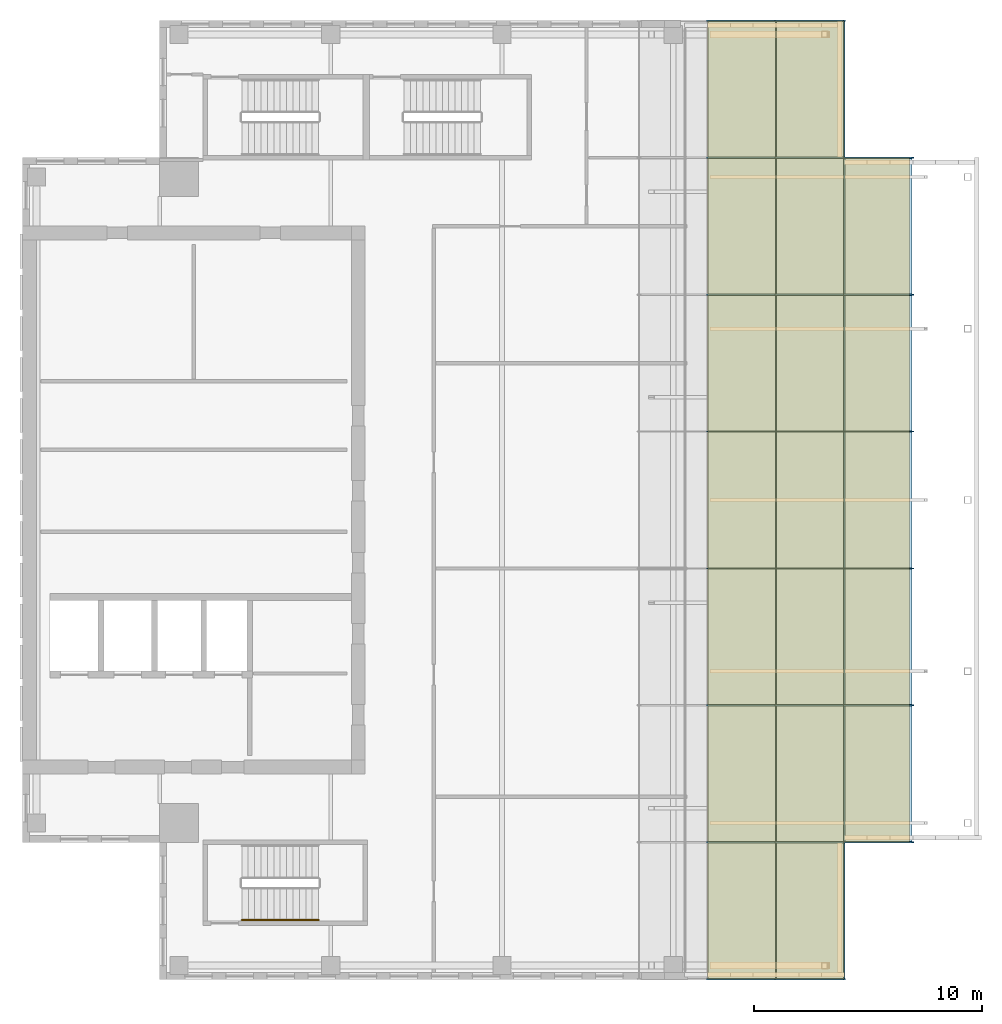
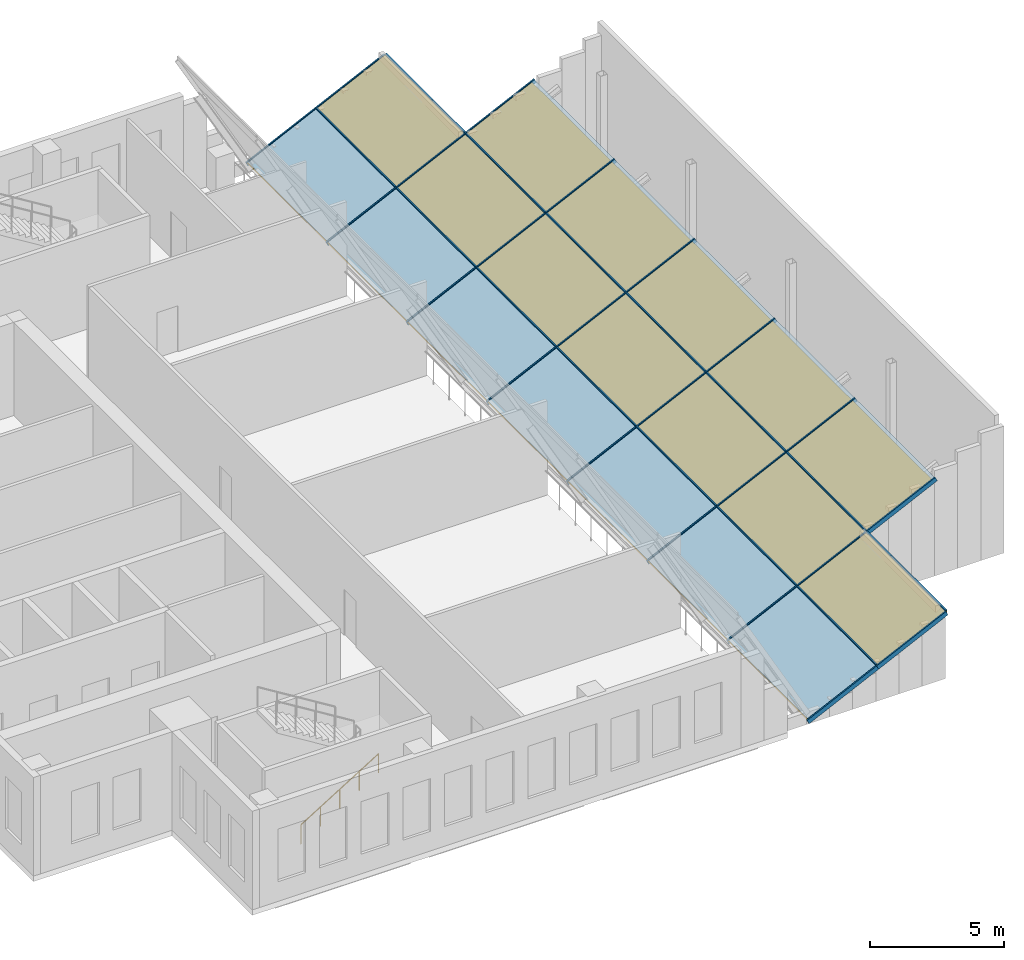
# One storey, part 9 of 11: 36 members, 19 plates, 1 curtain wall, 1 railing.
"""IFC4 building model written with IfcOpenShell, lengths in metres."""

from ifc_helpers import new_model, si_unit, direction, frame, origin, origin_2d, place, context, subcontext, project, spatial, polyline, hollow_rectangle, circle, outline, extrude, source, transform, mapped, material, layer, layer_set, material_profile, profile_set, type_object, element, aggregate, save


model = new_model("IFC4")

# Units and contexts
model_context = context("Model", 3, precision=1e-05, world=origin(), true_north=direction((0.0, 1.0)))
body_context = subcontext(model_context, "Body", "Model", "MODEL_VIEW")
ifc_project = project(units=[si_unit("LENGTHUNIT", "METRE"), si_unit("AREAUNIT", "SQUARE_METRE"), si_unit("VOLUMEUNIT", "CUBIC_METRE"), si_unit("PLANEANGLEUNIT", "RADIAN"), si_unit("MASSUNIT", "GRAM", prefix="KILO")], contexts=[model_context])

# Member
ifc_material_1 = material(Name="Aluminium", Category="aluminium")
ifc_material_profile_1 = material_profile(ifc_material_1, hollow_rectangle(XDim=0.06005859375, YDim=0.1201171875, WallThickness=0.0048828125, at=origin_2d()), Name="Crown roof glazing purlin CR-CW-T")
ifc_profile_set_1 = profile_set([ifc_material_profile_1], Name="Aluminium")
member_type_1 = type_object("IfcMemberType", Name="Crown roof glazing purlin CR-CW-T", PredefinedType="USERDEFINED", material=ifc_profile_set_1)
shared_shape_1 = source(origin(), body_context, "Body", "SweptSolid", [
    extrude(hollow_rectangle(XDim=0.06005859375, YDim=0.1201171875, WallThickness=0.0048828125, at=origin_2d()), origin(), (0.0, 0.0, 1.0), 5.93994140625),
])
site_placement = place(None, origin())
building_placement = place(site_placement, origin())
storey_placement = place(building_placement, frame((0.0, 0.0, 334.699951171875)))
member_1_placement = place(storey_placement, frame((39.0, 6.030029296875, 1.681884765625), z_axis=(0.0, 1.0, 0.0), x_axis=(-1.0, 0.0, 0.0)))
member_1 = element("IfcMember", 1, at=member_1_placement, type_object=member_type_1, Name="Crown glazing purlin", ObjectType="TRANSOM", PredefinedType="USERDEFINED", context=body_context, shape_type="MappedRepresentation", body=[
    mapped(shared_shape_1, transform((0.0, 0.0, 0.0))),
])

member_2_placement = place(storey_placement, frame((39.0, 12.030029296875, 1.681884765625), z_axis=(0.0, 1.0, 0.0), x_axis=(-1.0, 0.0, 0.0)))
member_2 = element("IfcMember", 2, at=member_2_placement, type_object=member_type_1, Name="Crown glazing purlin", ObjectType="TRANSOM", PredefinedType="USERDEFINED", context=body_context, shape_type="MappedRepresentation", body=[
    mapped(shared_shape_1, transform((0.0, 0.0, 0.0))),
])

member_3_placement = place(storey_placement, frame((39.0, 18.030029296875, 1.681884765625), z_axis=(0.0, 1.0, 0.0), x_axis=(-1.0, 0.0, 0.0)))
member_3 = element("IfcMember", 3, at=member_3_placement, type_object=member_type_1, Name="Crown glazing purlin", ObjectType="TRANSOM", PredefinedType="USERDEFINED", context=body_context, shape_type="MappedRepresentation", body=[
    mapped(shared_shape_1, transform((0.0, 0.0, 0.0))),
])

member_4_placement = place(storey_placement, frame((39.0, 24.030029296875, 1.681884765625), z_axis=(0.0, 1.0, 0.0), x_axis=(-1.0, 0.0, 0.0)))
member_4 = element("IfcMember", 4, at=member_4_placement, type_object=member_type_1, Name="Crown glazing purlin", ObjectType="TRANSOM", PredefinedType="USERDEFINED", context=body_context, shape_type="MappedRepresentation", body=[
    mapped(shared_shape_1, transform((0.0, 0.0, 0.0))),
])

member_5_placement = place(storey_placement, frame((39.0, 30.030029296875, 1.681884765625), z_axis=(0.0, 1.0, 0.0), x_axis=(-1.0, 0.0, 0.0)))
member_5 = element("IfcMember", 5, at=member_5_placement, type_object=member_type_1, Name="Crown glazing purlin", ObjectType="TRANSOM", PredefinedType="USERDEFINED", context=body_context, shape_type="MappedRepresentation", body=[
    mapped(shared_shape_1, transform((0.0, 0.0, 0.0))),
])

member_6_placement = place(storey_placement, frame((39.0, 36.030029296875, 1.681884765625), z_axis=(0.0, 1.0, 0.0), x_axis=(-1.0, 0.0, 0.0)))
member_6 = element("IfcMember", 6, at=member_6_placement, type_object=member_type_1, Name="Crown glazing purlin", ObjectType="TRANSOM", PredefinedType="USERDEFINED", context=body_context, shape_type="MappedRepresentation", body=[
    mapped(shared_shape_1, transform((0.0, 0.0, 0.0))),
])

member_7_placement = place(storey_placement, frame((39.0, 42.030029296875, 1.681884765625), z_axis=(0.0, 1.0, 0.0), x_axis=(-1.0, 0.0, 0.0)))
member_7 = element("IfcMember", 7, at=member_7_placement, type_object=member_type_1, Name="Crown glazing purlin", ObjectType="TRANSOM", PredefinedType="USERDEFINED", context=body_context, shape_type="MappedRepresentation", body=[
    mapped(shared_shape_1, transform((0.0, 0.0, 0.0))),
])

member_8_placement = place(storey_placement, frame((42.0, 6.030029296875, 3.119384765625), z_axis=(0.0, 1.0, 0.0), x_axis=(-1.0, 0.0, 0.0)))
member_8 = element("IfcMember", 8, at=member_8_placement, type_object=member_type_1, Name="Crown glazing purlin", ObjectType="TRANSOM", PredefinedType="USERDEFINED", context=body_context, shape_type="MappedRepresentation", body=[
    mapped(shared_shape_1, transform((0.0, 0.0, 0.0))),
])

member_9_placement = place(storey_placement, frame((42.0, 12.030029296875, 3.119384765625), z_axis=(0.0, 1.0, 0.0), x_axis=(-1.0, 0.0, 0.0)))
member_9 = element("IfcMember", 9, at=member_9_placement, type_object=member_type_1, Name="Crown glazing purlin", ObjectType="TRANSOM", PredefinedType="USERDEFINED", context=body_context, shape_type="MappedRepresentation", body=[
    mapped(shared_shape_1, transform((0.0, 0.0, 0.0))),
])

member_10_placement = place(storey_placement, frame((42.0, 18.030029296875, 3.119384765625), z_axis=(0.0, 1.0, 0.0), x_axis=(-1.0, 0.0, 0.0)))
member_10 = element("IfcMember", 10, at=member_10_placement, type_object=member_type_1, Name="Crown glazing purlin", ObjectType="TRANSOM", PredefinedType="USERDEFINED", context=body_context, shape_type="MappedRepresentation", body=[
    mapped(shared_shape_1, transform((0.0, 0.0, 0.0))),
])

member_11_placement = place(storey_placement, frame((42.0, 24.030029296875, 3.119384765625), z_axis=(0.0, 1.0, 0.0), x_axis=(-1.0, 0.0, 0.0)))
member_11 = element("IfcMember", 11, at=member_11_placement, type_object=member_type_1, Name="Crown glazing purlin", ObjectType="TRANSOM", PredefinedType="USERDEFINED", context=body_context, shape_type="MappedRepresentation", body=[
    mapped(shared_shape_1, transform((0.0, 0.0, 0.0))),
])

member_12_placement = place(storey_placement, frame((42.0, 30.030029296875, 3.119384765625), z_axis=(0.0, 1.0, 0.0), x_axis=(-1.0, 0.0, 0.0)))
member_12 = element("IfcMember", 12, at=member_12_placement, type_object=member_type_1, Name="Crown glazing purlin", ObjectType="TRANSOM", PredefinedType="USERDEFINED", context=body_context, shape_type="MappedRepresentation", body=[
    mapped(shared_shape_1, transform((0.0, 0.0, 0.0))),
])

member_13_placement = place(storey_placement, frame((42.0, 36.030029296875, 3.119384765625), z_axis=(0.0, 1.0, 0.0), x_axis=(-1.0, 0.0, 0.0)))
member_13 = element("IfcMember", 13, at=member_13_placement, type_object=member_type_1, Name="Crown glazing purlin", ObjectType="TRANSOM", PredefinedType="USERDEFINED", context=body_context, shape_type="MappedRepresentation", body=[
    mapped(shared_shape_1, transform((0.0, 0.0, 0.0))),
])

member_14_placement = place(storey_placement, frame((42.0, 42.030029296875, 3.119384765625), z_axis=(0.0, 1.0, 0.0), x_axis=(-1.0, 0.0, 0.0)))
member_14 = element("IfcMember", 14, at=member_14_placement, type_object=member_type_1, Name="Crown glazing purlin", ObjectType="TRANSOM", PredefinedType="USERDEFINED", context=body_context, shape_type="MappedRepresentation", body=[
    mapped(shared_shape_1, transform((0.0, 0.0, 0.0))),
])

ifc_material_2 = material(Name="Aluminium", Category="aluminium")
ifc_material_profile_2 = material_profile(ifc_material_2, hollow_rectangle(XDim=0.06005859375, YDim=0.199951171875, WallThickness=0.0048828125, at=origin_2d()), Name="Crown roof glazing rafter CR-CW-M")
ifc_profile_set_2 = profile_set([ifc_material_profile_2], Name="Aluminium")
member_type_2 = type_object("IfcMemberType", Name="Crown roof glazing rafter CR-CW-M", PredefinedType="MULLION", material=ifc_profile_set_2)
shared_shape_2 = source(origin(), body_context, "Body", "SweptSolid", [
    extrude(hollow_rectangle(XDim=0.06005859375, YDim=0.199951171875, WallThickness=0.0048828125, at=origin_2d()), origin(), (0.0, 0.0, 1.0), 3.32666015625),
])
member_15_placement = place(storey_placement, frame((36.0, 6.0, 0.193603515625), z_axis=(0.901816028725, 0.0, 0.432120180431), x_axis=(0.0, 1.0, 0.0)))
member_15 = element("IfcMember", 15, at=member_15_placement, type_object=member_type_2, Name="Crown glazing rafter", PredefinedType="MULLION", context=body_context, shape_type="MappedRepresentation", body=[
    mapped(shared_shape_2, transform((0.0, 0.0, 0.0))),
])

member_16_placement = place(storey_placement, frame((36.0, 12.0, 0.193603515625), z_axis=(0.901816028725, 0.0, 0.432120180431), x_axis=(0.0, 1.0, 0.0)))
member_16 = element("IfcMember", 16, at=member_16_placement, type_object=member_type_2, Name="Crown glazing rafter", PredefinedType="MULLION", context=body_context, shape_type="MappedRepresentation", body=[
    mapped(shared_shape_2, transform((0.0, 0.0, 0.0))),
])

member_17_placement = place(storey_placement, frame((36.0, 18.0, 0.193603515625), z_axis=(0.901816028725, 0.0, 0.432120180431), x_axis=(0.0, 1.0, 0.0)))
member_17 = element("IfcMember", 17, at=member_17_placement, type_object=member_type_2, Name="Crown glazing rafter", PredefinedType="MULLION", context=body_context, shape_type="MappedRepresentation", body=[
    mapped(shared_shape_2, transform((0.0, 0.0, 0.0))),
])

member_18_placement = place(storey_placement, frame((36.0, 24.0, 0.193603515625), z_axis=(0.901816028725, 0.0, 0.432120180431), x_axis=(0.0, 1.0, 0.0)))
member_18 = element("IfcMember", 18, at=member_18_placement, type_object=member_type_2, Name="Crown glazing rafter", PredefinedType="MULLION", context=body_context, shape_type="MappedRepresentation", body=[
    mapped(shared_shape_2, transform((0.0, 0.0, 0.0))),
])

member_19_placement = place(storey_placement, frame((36.0, 30.0, 0.193603515625), z_axis=(0.901816028725, 0.0, 0.432120180431), x_axis=(0.0, 1.0, 0.0)))
member_19 = element("IfcMember", 19, at=member_19_placement, type_object=member_type_2, Name="Crown glazing rafter", PredefinedType="MULLION", context=body_context, shape_type="MappedRepresentation", body=[
    mapped(shared_shape_2, transform((0.0, 0.0, 0.0))),
])

member_20_placement = place(storey_placement, frame((36.0, 36.0, 0.193603515625), z_axis=(0.901816028725, 0.0, 0.432120180431), x_axis=(0.0, 1.0, 0.0)))
member_20 = element("IfcMember", 20, at=member_20_placement, type_object=member_type_2, Name="Crown glazing rafter", PredefinedType="MULLION", context=body_context, shape_type="MappedRepresentation", body=[
    mapped(shared_shape_2, transform((0.0, 0.0, 0.0))),
])

member_21_placement = place(storey_placement, frame((36.0, 42.0, 0.193603515625), z_axis=(0.901816028725, 0.0, 0.432120180431), x_axis=(0.0, 1.0, 0.0)))
member_21 = element("IfcMember", 21, at=member_21_placement, type_object=member_type_2, Name="Crown glazing rafter", PredefinedType="MULLION", context=body_context, shape_type="MappedRepresentation", body=[
    mapped(shared_shape_2, transform((0.0, 0.0, 0.0))),
])

member_22_placement = place(storey_placement, frame((36.0, 48.0, 0.193603515625), z_axis=(0.901816028725, 0.0, 0.432120180431), x_axis=(0.0, 1.0, 0.0)))
member_22 = element("IfcMember", 22, at=member_22_placement, type_object=member_type_2, Name="Crown glazing rafter", PredefinedType="MULLION", context=body_context, shape_type="MappedRepresentation", body=[
    mapped(shared_shape_2, transform((0.0, 0.0, 0.0))),
])

member_23_placement = place(storey_placement, frame((39.0, 6.0, 1.631103515625), z_axis=(0.901816028725, 0.0, 0.432120180431), x_axis=(0.0, 1.0, 0.0)))
member_23 = element("IfcMember", 23, at=member_23_placement, type_object=member_type_2, Name="Crown glazing rafter", PredefinedType="MULLION", context=body_context, shape_type="MappedRepresentation", body=[
    mapped(shared_shape_2, transform((0.0, 0.0, 0.0))),
])

member_24_placement = place(storey_placement, frame((39.0, 12.0, 1.631103515625), z_axis=(0.901816028725, 0.0, 0.432120180431), x_axis=(0.0, 1.0, 0.0)))
member_24 = element("IfcMember", 24, at=member_24_placement, type_object=member_type_2, Name="Crown glazing rafter", PredefinedType="MULLION", context=body_context, shape_type="MappedRepresentation", body=[
    mapped(shared_shape_2, transform((0.0, 0.0, 0.0))),
])

member_25_placement = place(storey_placement, frame((39.0, 18.0, 1.631103515625), z_axis=(0.901816028725, 0.0, 0.432120180431), x_axis=(0.0, 1.0, 0.0)))
member_25 = element("IfcMember", 25, at=member_25_placement, type_object=member_type_2, Name="Crown glazing rafter", PredefinedType="MULLION", context=body_context, shape_type="MappedRepresentation", body=[
    mapped(shared_shape_2, transform((0.0, 0.0, 0.0))),
])

member_26_placement = place(storey_placement, frame((39.0, 24.0, 1.631103515625), z_axis=(0.901816028725, 0.0, 0.432120180431), x_axis=(0.0, 1.0, 0.0)))
member_26 = element("IfcMember", 26, at=member_26_placement, type_object=member_type_2, Name="Crown glazing rafter", PredefinedType="MULLION", context=body_context, shape_type="MappedRepresentation", body=[
    mapped(shared_shape_2, transform((0.0, 0.0, 0.0))),
])

member_27_placement = place(storey_placement, frame((39.0, 30.0, 1.631103515625), z_axis=(0.901816028725, 0.0, 0.432120180431), x_axis=(0.0, 1.0, 0.0)))
member_27 = element("IfcMember", 27, at=member_27_placement, type_object=member_type_2, Name="Crown glazing rafter", PredefinedType="MULLION", context=body_context, shape_type="MappedRepresentation", body=[
    mapped(shared_shape_2, transform((0.0, 0.0, 0.0))),
])

member_28_placement = place(storey_placement, frame((39.0, 36.0, 1.631103515625), z_axis=(0.901816028725, 0.0, 0.432120180431), x_axis=(0.0, 1.0, 0.0)))
member_28 = element("IfcMember", 28, at=member_28_placement, type_object=member_type_2, Name="Crown glazing rafter", PredefinedType="MULLION", context=body_context, shape_type="MappedRepresentation", body=[
    mapped(shared_shape_2, transform((0.0, 0.0, 0.0))),
])

member_29_placement = place(storey_placement, frame((39.0, 42.0, 1.631103515625), z_axis=(0.901816028725, 0.0, 0.432120180431), x_axis=(0.0, 1.0, 0.0)))
member_29 = element("IfcMember", 29, at=member_29_placement, type_object=member_type_2, Name="Crown glazing rafter", PredefinedType="MULLION", context=body_context, shape_type="MappedRepresentation", body=[
    mapped(shared_shape_2, transform((0.0, 0.0, 0.0))),
])

member_30_placement = place(storey_placement, frame((39.0, 48.0, 1.631103515625), z_axis=(0.901816028725, 0.0, 0.432120180431), x_axis=(0.0, 1.0, 0.0)))
member_30 = element("IfcMember", 30, at=member_30_placement, type_object=member_type_2, Name="Crown glazing rafter", PredefinedType="MULLION", context=body_context, shape_type="MappedRepresentation", body=[
    mapped(shared_shape_2, transform((0.0, 0.0, 0.0))),
])

member_31_placement = place(storey_placement, frame((42.0, 12.0, 3.068603515625), z_axis=(0.901816028725, 0.0, 0.432120180431), x_axis=(0.0, 1.0, 0.0)))
member_31 = element("IfcMember", 31, at=member_31_placement, type_object=member_type_2, Name="Crown glazing rafter", PredefinedType="MULLION", context=body_context, shape_type="MappedRepresentation", body=[
    mapped(shared_shape_2, transform((0.0, 0.0, 0.0))),
])

member_32_placement = place(storey_placement, frame((42.0, 18.0, 3.068603515625), z_axis=(0.901816028725, 0.0, 0.432120180431), x_axis=(0.0, 1.0, 0.0)))
member_32 = element("IfcMember", 32, at=member_32_placement, type_object=member_type_2, Name="Crown glazing rafter", PredefinedType="MULLION", context=body_context, shape_type="MappedRepresentation", body=[
    mapped(shared_shape_2, transform((0.0, 0.0, 0.0))),
])

member_33_placement = place(storey_placement, frame((42.0, 24.0, 3.068603515625), z_axis=(0.901816028725, 0.0, 0.432120180431), x_axis=(0.0, 1.0, 0.0)))
member_33 = element("IfcMember", 33, at=member_33_placement, type_object=member_type_2, Name="Crown glazing rafter", PredefinedType="MULLION", context=body_context, shape_type="MappedRepresentation", body=[
    mapped(shared_shape_2, transform((0.0, 0.0, 0.0))),
])

member_34_placement = place(storey_placement, frame((42.0, 30.0, 3.068603515625), z_axis=(0.901816028725, 0.0, 0.432120180431), x_axis=(0.0, 1.0, 0.0)))
member_34 = element("IfcMember", 34, at=member_34_placement, type_object=member_type_2, Name="Crown glazing rafter", PredefinedType="MULLION", context=body_context, shape_type="MappedRepresentation", body=[
    mapped(shared_shape_2, transform((0.0, 0.0, 0.0))),
])

member_35_placement = place(storey_placement, frame((42.0, 36.0, 3.068603515625), z_axis=(0.901816028725, 0.0, 0.432120180431), x_axis=(0.0, 1.0, 0.0)))
member_35 = element("IfcMember", 35, at=member_35_placement, type_object=member_type_2, Name="Crown glazing rafter", PredefinedType="MULLION", context=body_context, shape_type="MappedRepresentation", body=[
    mapped(shared_shape_2, transform((0.0, 0.0, 0.0))),
])

member_36_placement = place(storey_placement, frame((42.0, 42.0, 3.068603515625), z_axis=(0.901816028725, 0.0, 0.432120180431), x_axis=(0.0, 1.0, 0.0)))
member_36 = element("IfcMember", 36, at=member_36_placement, type_object=member_type_2, Name="Crown glazing rafter", PredefinedType="MULLION", context=body_context, shape_type="MappedRepresentation", body=[
    mapped(shared_shape_2, transform((0.0, 0.0, 0.0))),
])

# Plate
ifc_material_3 = material(Name="Laminated heat-strengthened glass", Category="glass")
ifc_layer = layer(ifc_material_3, 0.031982421875)
ifc_layer_set = layer_set([ifc_layer], Name="Laminated heat-strengthened glass")
plate_type = type_object("IfcPlateType", Name="Crown roof glazing panel CR-CW-P", PredefinedType="CURTAIN_PANEL", material=ifc_layer_set)
plate_1_placement = place(storey_placement, frame((36.030029296875, 6.030029296875, 0.27685546875), z_axis=(0.0, 0.0, 1.0), x_axis=(1.0, 0.0, 0.0)))
plate_1 = element("IfcPlate", 37, at=plate_1_placement, type_object=plate_type, Name="Crown roof glazing panel", PredefinedType="CURTAIN_PANEL", context=body_context, shape_type="SweptSolid", body=[
    extrude(outline(polyline([(0.0, 0.0), (2.93994140625, 1.40869140625), (2.93994140625, 1.373291015625), (0.0, -0.035400390625), (0.0, 0.0)])), frame((0.0, 5.93994140625, 0.0), z_axis=(0.0, -1.0, 0.0), x_axis=(1.0, 0.0, 0.0)), (0.0, 0.0, 1.0), 5.93994140625),
])

plate_2_placement = place(storey_placement, frame((36.030029296875, 12.030029296875, 0.27685546875), z_axis=(0.0, 0.0, 1.0), x_axis=(1.0, 0.0, 0.0)))
plate_2 = element("IfcPlate", 38, at=plate_2_placement, type_object=plate_type, Name="Crown roof glazing panel", PredefinedType="CURTAIN_PANEL", context=body_context, shape_type="SweptSolid", body=[
    extrude(outline(polyline([(0.0, 0.0), (2.93994140625, 1.40869140625), (2.93994140625, 1.373291015625), (0.0, -0.035400390625), (0.0, 0.0)])), frame((0.0, 5.93994140625, 0.0), z_axis=(0.0, -1.0, 0.0), x_axis=(1.0, 0.0, 0.0)), (0.0, 0.0, 1.0), 5.93994140625),
])

plate_3_placement = place(storey_placement, frame((36.030029296875, 18.030029296875, 0.27685546875), z_axis=(0.0, 0.0, 1.0), x_axis=(1.0, 0.0, 0.0)))
plate_3 = element("IfcPlate", 39, at=plate_3_placement, type_object=plate_type, Name="Crown roof glazing panel", PredefinedType="CURTAIN_PANEL", context=body_context, shape_type="SweptSolid", body=[
    extrude(outline(polyline([(0.0, 0.0), (2.93994140625, 1.40869140625), (2.93994140625, 1.373291015625), (0.0, -0.035400390625), (0.0, 0.0)])), frame((0.0, 5.93994140625, 0.0), z_axis=(0.0, -1.0, 0.0), x_axis=(1.0, 0.0, 0.0)), (0.0, 0.0, 1.0), 5.93994140625),
])

plate_4_placement = place(storey_placement, frame((36.030029296875, 24.030029296875, 0.27685546875), z_axis=(0.0, 0.0, 1.0), x_axis=(1.0, 0.0, 0.0)))
plate_4 = element("IfcPlate", 40, at=plate_4_placement, type_object=plate_type, Name="Crown roof glazing panel", PredefinedType="CURTAIN_PANEL", context=body_context, shape_type="SweptSolid", body=[
    extrude(outline(polyline([(0.0, 0.0), (2.93994140625, 1.40869140625), (2.93994140625, 1.373291015625), (0.0, -0.035400390625), (0.0, 0.0)])), frame((0.0, 5.93994140625, 0.0), z_axis=(0.0, -1.0, 0.0), x_axis=(1.0, 0.0, 0.0)), (0.0, 0.0, 1.0), 5.93994140625),
])

plate_5_placement = place(storey_placement, frame((36.030029296875, 30.030029296875, 0.27685546875), z_axis=(0.0, 0.0, 1.0), x_axis=(1.0, 0.0, 0.0)))
plate_5 = element("IfcPlate", 41, at=plate_5_placement, type_object=plate_type, Name="Crown roof glazing panel", PredefinedType="CURTAIN_PANEL", context=body_context, shape_type="SweptSolid", body=[
    extrude(outline(polyline([(0.0, 0.0), (2.93994140625, 1.40869140625), (2.93994140625, 1.373291015625), (0.0, -0.035400390625), (0.0, 0.0)])), frame((0.0, 5.93994140625, 0.0), z_axis=(0.0, -1.0, 0.0), x_axis=(1.0, 0.0, 0.0)), (0.0, 0.0, 1.0), 5.93994140625),
])

plate_6_placement = place(storey_placement, frame((36.030029296875, 36.030029296875, 0.27685546875), z_axis=(0.0, 0.0, 1.0), x_axis=(1.0, 0.0, 0.0)))
plate_6 = element("IfcPlate", 42, at=plate_6_placement, type_object=plate_type, Name="Crown roof glazing panel", PredefinedType="CURTAIN_PANEL", context=body_context, shape_type="SweptSolid", body=[
    extrude(outline(polyline([(0.0, 0.0), (2.93994140625, 1.40869140625), (2.93994140625, 1.373291015625), (0.0, -0.035400390625), (0.0, 0.0)])), frame((0.0, 5.93994140625, 0.0), z_axis=(0.0, -1.0, 0.0), x_axis=(1.0, 0.0, 0.0)), (0.0, 0.0, 1.0), 5.93994140625),
])

plate_7_placement = place(storey_placement, frame((36.030029296875, 42.030029296875, 0.27685546875), z_axis=(0.0, 0.0, 1.0), x_axis=(1.0, 0.0, 0.0)))
plate_7 = element("IfcPlate", 43, at=plate_7_placement, type_object=plate_type, Name="Crown roof glazing panel", PredefinedType="CURTAIN_PANEL", context=body_context, shape_type="SweptSolid", body=[
    extrude(outline(polyline([(0.0, 0.0), (2.93994140625, 1.40869140625), (2.93994140625, 1.373291015625), (0.0, -0.035400390625), (0.0, 0.0)])), frame((0.0, 5.93994140625, 0.0), z_axis=(0.0, -1.0, 0.0), x_axis=(1.0, 0.0, 0.0)), (0.0, 0.0, 1.0), 5.93994140625),
])

plate_8_placement = place(storey_placement, frame((39.030029296875, 6.030029296875, 1.71435546875), z_axis=(0.0, 0.0, 1.0), x_axis=(1.0, 0.0, 0.0)))
plate_8 = element("IfcPlate", 44, at=plate_8_placement, type_object=plate_type, Name="Crown roof glazing panel", PredefinedType="CURTAIN_PANEL", context=body_context, shape_type="SweptSolid", body=[
    extrude(outline(polyline([(0.0, 0.0), (2.93994140625, 1.40869140625), (2.93994140625, 1.373291015625), (0.0, -0.035400390625), (0.0, 0.0)])), frame((0.0, 5.93994140625, 0.0), z_axis=(0.0, -1.0, 0.0), x_axis=(1.0, 0.0, 0.0)), (0.0, 0.0, 1.0), 5.93994140625),
])

plate_9_placement = place(storey_placement, frame((39.030029296875, 12.030029296875, 1.71435546875), z_axis=(0.0, 0.0, 1.0), x_axis=(1.0, 0.0, 0.0)))
plate_9 = element("IfcPlate", 45, at=plate_9_placement, type_object=plate_type, Name="Crown roof glazing panel", PredefinedType="CURTAIN_PANEL", context=body_context, shape_type="SweptSolid", body=[
    extrude(outline(polyline([(0.0, 0.0), (2.93994140625, 1.40869140625), (2.93994140625, 1.373291015625), (0.0, -0.035400390625), (0.0, 0.0)])), frame((0.0, 5.93994140625, 0.0), z_axis=(0.0, -1.0, 0.0), x_axis=(1.0, 0.0, 0.0)), (0.0, 0.0, 1.0), 5.93994140625),
])

plate_10_placement = place(storey_placement, frame((39.030029296875, 18.030029296875, 1.71435546875), z_axis=(0.0, 0.0, 1.0), x_axis=(1.0, 0.0, 0.0)))
plate_10 = element("IfcPlate", 46, at=plate_10_placement, type_object=plate_type, Name="Crown roof glazing panel", PredefinedType="CURTAIN_PANEL", context=body_context, shape_type="SweptSolid", body=[
    extrude(outline(polyline([(0.0, 0.0), (2.93994140625, 1.40869140625), (2.93994140625, 1.373291015625), (0.0, -0.035400390625), (0.0, 0.0)])), frame((0.0, 5.93994140625, 0.0), z_axis=(0.0, -1.0, 0.0), x_axis=(1.0, 0.0, 0.0)), (0.0, 0.0, 1.0), 5.93994140625),
])

plate_11_placement = place(storey_placement, frame((39.030029296875, 24.030029296875, 1.71435546875), z_axis=(0.0, 0.0, 1.0), x_axis=(1.0, 0.0, 0.0)))
plate_11 = element("IfcPlate", 47, at=plate_11_placement, type_object=plate_type, Name="Crown roof glazing panel", PredefinedType="CURTAIN_PANEL", context=body_context, shape_type="SweptSolid", body=[
    extrude(outline(polyline([(0.0, 0.0), (2.93994140625, 1.40869140625), (2.93994140625, 1.373291015625), (0.0, -0.035400390625), (0.0, 0.0)])), frame((0.0, 5.93994140625, 0.0), z_axis=(0.0, -1.0, 0.0), x_axis=(1.0, 0.0, 0.0)), (0.0, 0.0, 1.0), 5.93994140625),
])

plate_12_placement = place(storey_placement, frame((39.030029296875, 30.030029296875, 1.71435546875), z_axis=(0.0, 0.0, 1.0), x_axis=(1.0, 0.0, 0.0)))
plate_12 = element("IfcPlate", 48, at=plate_12_placement, type_object=plate_type, Name="Crown roof glazing panel", PredefinedType="CURTAIN_PANEL", context=body_context, shape_type="SweptSolid", body=[
    extrude(outline(polyline([(0.0, 0.0), (2.93994140625, 1.40869140625), (2.93994140625, 1.373291015625), (0.0, -0.035400390625), (0.0, 0.0)])), frame((0.0, 5.93994140625, 0.0), z_axis=(0.0, -1.0, 0.0), x_axis=(1.0, 0.0, 0.0)), (0.0, 0.0, 1.0), 5.93994140625),
])

plate_13_placement = place(storey_placement, frame((39.030029296875, 36.030029296875, 1.71435546875), z_axis=(0.0, 0.0, 1.0), x_axis=(1.0, 0.0, 0.0)))
plate_13 = element("IfcPlate", 49, at=plate_13_placement, type_object=plate_type, Name="Crown roof glazing panel", PredefinedType="CURTAIN_PANEL", context=body_context, shape_type="SweptSolid", body=[
    extrude(outline(polyline([(0.0, 0.0), (2.93994140625, 1.40869140625), (2.93994140625, 1.373291015625), (0.0, -0.035400390625), (0.0, 0.0)])), frame((0.0, 5.93994140625, 0.0), z_axis=(0.0, -1.0, 0.0), x_axis=(1.0, 0.0, 0.0)), (0.0, 0.0, 1.0), 5.93994140625),
])

plate_14_placement = place(storey_placement, frame((39.030029296875, 42.030029296875, 1.71435546875), z_axis=(0.0, 0.0, 1.0), x_axis=(1.0, 0.0, 0.0)))
plate_14 = element("IfcPlate", 50, at=plate_14_placement, type_object=plate_type, Name="Crown roof glazing panel", PredefinedType="CURTAIN_PANEL", context=body_context, shape_type="SweptSolid", body=[
    extrude(outline(polyline([(0.0, 0.0), (2.93994140625, 1.40869140625), (2.93994140625, 1.373291015625), (0.0, -0.035400390625), (0.0, 0.0)])), frame((0.0, 5.93994140625, 0.0), z_axis=(0.0, -1.0, 0.0), x_axis=(1.0, 0.0, 0.0)), (0.0, 0.0, 1.0), 5.93994140625),
])

plate_15_placement = place(storey_placement, frame((42.030029296875, 12.030029296875, 3.15185546875), z_axis=(0.0, 0.0, 1.0), x_axis=(1.0, 0.0, 0.0)))
plate_15 = element("IfcPlate", 51, at=plate_15_placement, type_object=plate_type, Name="Crown roof glazing panel", PredefinedType="CURTAIN_PANEL", context=body_context, shape_type="SweptSolid", body=[
    extrude(outline(polyline([(0.0, 0.0), (2.93994140625, 1.40869140625), (2.93994140625, 1.373291015625), (0.0, -0.035400390625), (0.0, 0.0)])), frame((0.0, 5.93994140625, 0.0), z_axis=(0.0, -1.0, 0.0), x_axis=(1.0, 0.0, 0.0)), (0.0, 0.0, 1.0), 5.93994140625),
])

plate_16_placement = place(storey_placement, frame((42.030029296875, 18.030029296875, 3.15185546875), z_axis=(0.0, 0.0, 1.0), x_axis=(1.0, 0.0, 0.0)))
plate_16 = element("IfcPlate", 52, at=plate_16_placement, type_object=plate_type, Name="Crown roof glazing panel", PredefinedType="CURTAIN_PANEL", context=body_context, shape_type="SweptSolid", body=[
    extrude(outline(polyline([(0.0, 0.0), (2.93994140625, 1.40869140625), (2.93994140625, 1.373291015625), (0.0, -0.035400390625), (0.0, 0.0)])), frame((0.0, 5.93994140625, 0.0), z_axis=(0.0, -1.0, 0.0), x_axis=(1.0, 0.0, 0.0)), (0.0, 0.0, 1.0), 5.93994140625),
])

plate_17_placement = place(storey_placement, frame((42.030029296875, 24.030029296875, 3.15185546875), z_axis=(0.0, 0.0, 1.0), x_axis=(1.0, 0.0, 0.0)))
plate_17 = element("IfcPlate", 53, at=plate_17_placement, type_object=plate_type, Name="Crown roof glazing panel", PredefinedType="CURTAIN_PANEL", context=body_context, shape_type="SweptSolid", body=[
    extrude(outline(polyline([(0.0, 0.0), (2.93994140625, 1.40869140625), (2.93994140625, 1.373291015625), (0.0, -0.035400390625), (0.0, 0.0)])), frame((0.0, 5.93994140625, 0.0), z_axis=(0.0, -1.0, 0.0), x_axis=(1.0, 0.0, 0.0)), (0.0, 0.0, 1.0), 5.93994140625),
])

plate_18_placement = place(storey_placement, frame((42.030029296875, 30.030029296875, 3.15185546875), z_axis=(0.0, 0.0, 1.0), x_axis=(1.0, 0.0, 0.0)))
plate_18 = element("IfcPlate", 54, at=plate_18_placement, type_object=plate_type, Name="Crown roof glazing panel", PredefinedType="CURTAIN_PANEL", context=body_context, shape_type="SweptSolid", body=[
    extrude(outline(polyline([(0.0, 0.0), (2.93994140625, 1.40869140625), (2.93994140625, 1.373291015625), (0.0, -0.035400390625), (0.0, 0.0)])), frame((0.0, 5.93994140625, 0.0), z_axis=(0.0, -1.0, 0.0), x_axis=(1.0, 0.0, 0.0)), (0.0, 0.0, 1.0), 5.93994140625),
])

plate_19_placement = place(storey_placement, frame((42.030029296875, 36.030029296875, 3.15185546875), z_axis=(0.0, 0.0, 1.0), x_axis=(1.0, 0.0, 0.0)))
plate_19 = element("IfcPlate", 55, at=plate_19_placement, type_object=plate_type, Name="Crown roof glazing panel", PredefinedType="CURTAIN_PANEL", context=body_context, shape_type="SweptSolid", body=[
    extrude(outline(polyline([(0.0, 0.0), (2.93994140625, 1.40869140625), (2.93994140625, 1.373291015625), (0.0, -0.035400390625), (0.0, 0.0)])), frame((0.0, 5.93994140625, 0.0), z_axis=(0.0, -1.0, 0.0), x_axis=(1.0, 0.0, 0.0)), (0.0, 0.0, 1.0), 5.93994140625),
])

# Site, building, storey
site = spatial("IfcSite", under=ifc_project, at=site_placement, CompositionType="ELEMENT")
building = spatial("IfcBuilding", under=site, at=building_placement, Name="Khomas Fold Tower", CompositionType="ELEMENT")
storey = spatial("IfcBuildingStorey", under=building, at=storey_placement, Name="C2", CompositionType="ELEMENT", Elevation=334.699951171875)

# Curtain wall
ifc_material_4 = material(Name="Aluminium framed double glazing", Category="aluminium")
curtain_wall_type = type_object("IfcCurtainWallType", Name="Crown roof glazing CR-CW", PredefinedType="NOTDEFINED", material=ifc_material_4)
curtain_wall_placement = place(storey_placement, frame((36.0, 24.0, 0.257568359375), z_axis=(-0.432111561376, 0.0, 0.901820158638), x_axis=(0.0, 1.0, 0.0)))
curtain_wall = element("IfcCurtainWall", 56, at=curtain_wall_placement, inside=storey, type_object=curtain_wall_type, Name="Crown roof glazing E C2", PredefinedType="NOTDEFINED", context=body_context, shape_type="SweptSolid", body=[
    extrude(outline(polyline([(0.0, 0.0), (6.0, 0.0), (12.0, 0.0), (18.0, 0.0), (24.0, 0.0), (24.0, -3.3266208453908823), (24.0, -6.653241690781765), (18.0, -6.653241690781765), (18.0, -9.816831291851965), (-12.0, -9.816831291851965), (-12.0, -6.653241690781765), (-18.0, -6.653241690781765), (-18.0, -3.3266208453908823), (-18.0, 0.0), (-12.0, 0.0), (-6.0, 0.0), (0.0, 0.0)])), origin(), (0.0, 0.0, -1.0), 0.031982421875),
])

aggregate(curtain_wall, [member_15, member_16, member_17, member_18, member_19, member_20, member_21, member_22, member_23, member_24, member_25, member_26, member_27, member_28, member_29, member_30, member_31, member_32, member_33, member_34, member_35, member_36, member_1, member_2, member_3, member_4, member_5, member_6, member_7, member_8, member_9, member_10, member_11, member_12, member_13, member_14, plate_1, plate_2, plate_3, plate_4, plate_5, plate_6, plate_7, plate_8, plate_9, plate_10, plate_11, plate_12, plate_13, plate_14, plate_15, plate_16, plate_17, plate_18, plate_19])

# Railing
ifc_material_5 = material(Name="Steel handrail", Category="steel")
railing_type = type_object("IfcRailingType", Name="Stair handrail", PredefinedType="HANDRAIL", material=ifc_material_5)
shared_shape_3 = source(origin(), body_context, "Body", "SweptSolid", [
    extrude(circle(Radius=0.02392578125, at=origin_2d()), frame((0.0, 0.0, 0.8759765625), z_axis=(0.850606129759, 0.0, 0.525803396734), x_axis=(0.0, 1.0, 0.0)), (0.0, 0.0, 1.0), 3.949951171875),
    extrude(circle(Radius=0.02099609375, at=origin_2d()), origin(), (0.0, 0.0, 1.0), 0.851806640625),
    extrude(circle(Radius=0.02099609375, at=origin_2d()), frame((0.83984375, 0.0, 0.519287109375)), (0.0, 0.0, 1.0), 0.851806640625),
    extrude(circle(Radius=0.02099609375, at=origin_2d()), frame((1.679931640625, 0.0, 1.03857421875)), (0.0, 0.0, 1.0), 0.851806640625),
    extrude(circle(Radius=0.02099609375, at=origin_2d()), frame((2.52001953125, 0.0, 1.5576171875)), (0.0, 0.0, 1.0), 0.851806640625),
    extrude(circle(Radius=0.02099609375, at=origin_2d()), frame((3.35986328125, 0.0, 2.076904296875)), (0.0, 0.0, 1.0), 0.851806640625),
])
railing_placement = place(storey_placement, frame((15.60009765625, 8.60009765625, 0.173095703125)))
element("IfcRailing", 57, at=railing_placement, inside=storey, type_object=railing_type, Name="C2 ST2 stair handrail 1", PredefinedType="HANDRAIL", context=body_context, shape_type="MappedRepresentation", body=[
    mapped(shared_shape_3, transform((0.0, 0.0, 0.0))),
])

save(model, "model.ifc")
